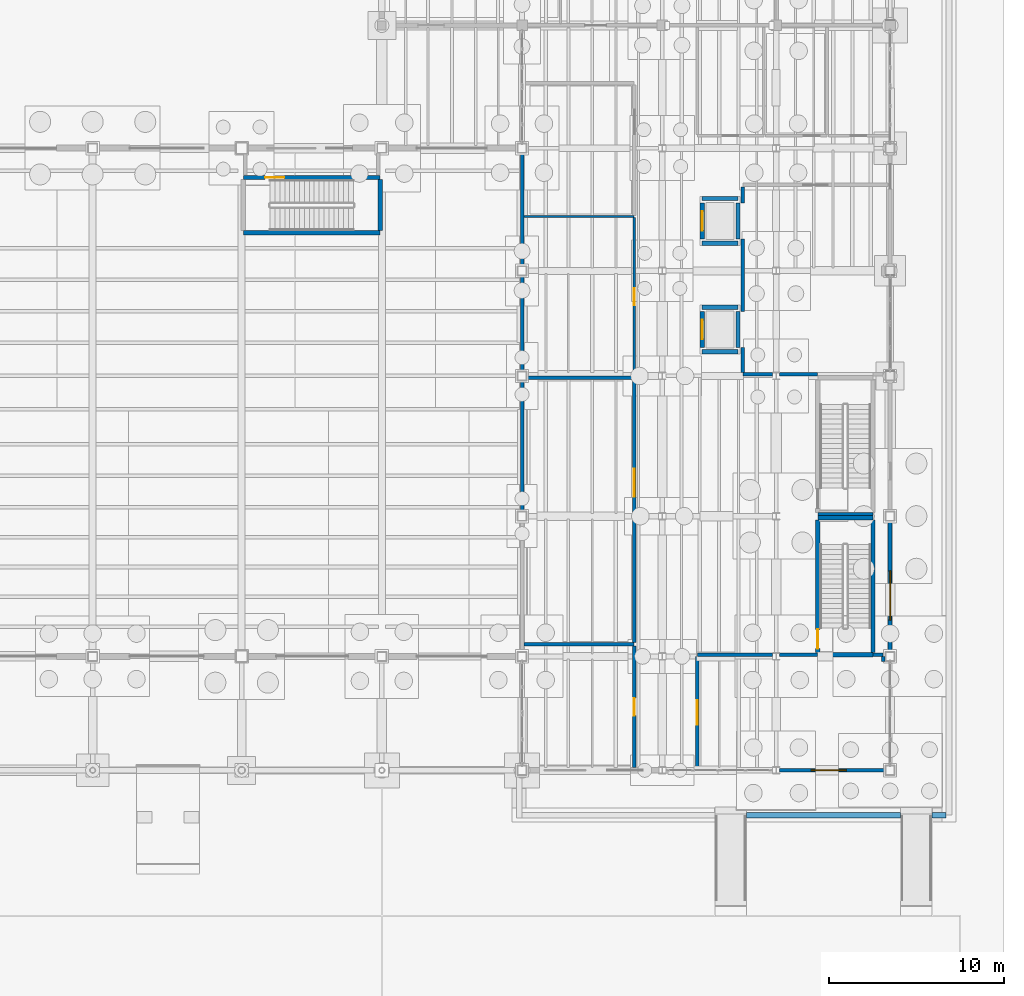
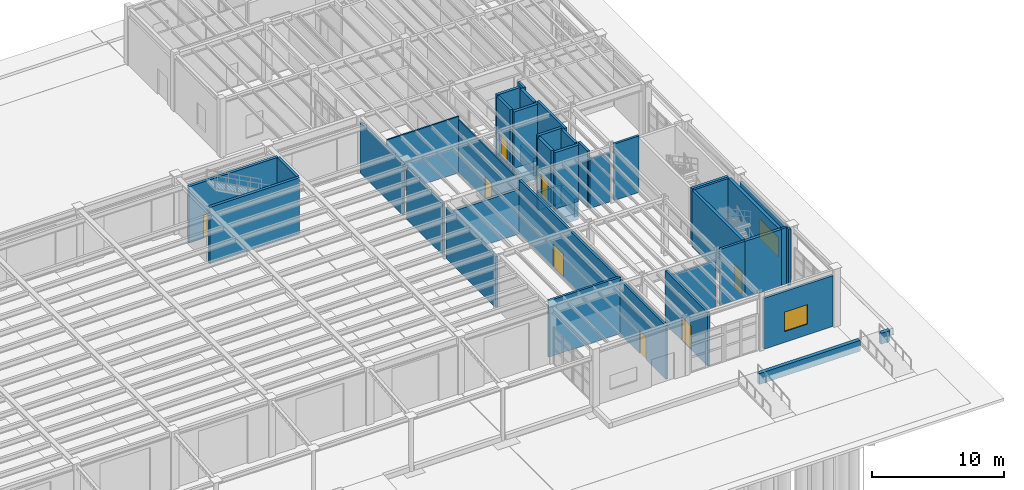
# One storey, part 68 of 86: 47 walls, 8 doors, 2 windows, 10 openings.
"""IFC4 building model written with IfcOpenShell, lengths in metres."""

from ifc_helpers import new_model, si_unit, direction, frame, frame_2d, origin, place, context, subcontext, project, spatial, rectangle, extrude, material, layer, layer_set, type_object, element, fill, save


model = new_model("IFC4")

# Units and contexts
model_context = context("Model", 3, precision=1e-05, world=origin(), true_north=direction((0.0, 1.0)))
body_context = subcontext(model_context, "Body", "Model", "MODEL_VIEW")
ifc_project = project(units=[si_unit("LENGTHUNIT", "METRE"), si_unit("AREAUNIT", "SQUARE_METRE"), si_unit("VOLUMEUNIT", "CUBIC_METRE"), si_unit("PLANEANGLEUNIT", "RADIAN"), si_unit("MASSUNIT", "GRAM", prefix="KILO"), si_unit("THERMODYNAMICTEMPERATUREUNIT", "KELVIN"), si_unit("POWERUNIT", "WATT")], contexts=[model_context])

# Site, building, storey
site_placement = place(None, origin())
site = spatial("IfcSite", under=ifc_project, at=site_placement, CompositionType="ELEMENT")
building_placement = place(site_placement, origin())
building = spatial("IfcBuilding", under=site, at=building_placement, Name="Zhenchuan Central Fire Station", CompositionType="ELEMENT")
storey_placement = place(building_placement, frame((0.0, 0.0, 0.449951171875)))
storey = spatial("IfcBuildingStorey", under=building, at=storey_placement, Name="L01", CompositionType="ELEMENT", Elevation=0.449951171875)

# Walls
ifc_material_1 = material(Name="Concrete C35/45", Category="concrete")
ifc_layer_1 = layer(ifc_material_1, 0.320068359375, Name="Concrete C35/45", Category="concrete")
ifc_layer_set_1 = layer_set([ifc_layer_1], Name="Concrete C35/45")
wall_type_1 = type_object("IfcWallType", Name="EW-PLN320", PredefinedType="SOLIDWALL", material=ifc_layer_set_1)
wall_1_placement = place(storey_placement, frame((152.803955078125, -2.56201171875, -1.0), z_axis=(0.0, 0.0, 1.0), x_axis=(1.0, 0.0, 0.0)))
element("IfcWall", 1, at=wall_1_placement, inside=storey, type_object=wall_type_1, Name="Plinth Perimeter Retaining Stem Wall SE-2", PredefinedType="SOLIDWALL", context=body_context, shape_type="SweptSolid", body=[
    extrude(rectangle(XDim=8.7919921875, YDim=0.320068359375, at=frame_2d((4.39599609375, 0.0))), origin(), (0.0, 0.0, 1.0), 1.0),
])
wall_2_placement = place(storey_placement, frame((163.404052734375, -2.56201171875, -1.0), z_axis=(0.0, 0.0, 1.0), x_axis=(1.0, 0.0, 0.0)))
element("IfcWall", 2, at=wall_2_placement, inside=storey, type_object=wall_type_1, Name="Plinth Perimeter Retaining Stem Wall SE-3", PredefinedType="SOLIDWALL", context=body_context, shape_type="SweptSolid", body=[
    extrude(rectangle(XDim=0.7958984375, YDim=0.320068359375, at=frame_2d((0.39794921875, 0.0))), origin(), (0.0, 0.0, 1.0), 1.0),
])

# Wall, opening, window
ifc_material_2 = material(Name="Precast concrete C40/50", Category="concrete")
ifc_layer_2 = layer(ifc_material_2, 0.219970703125, Name="Precast concrete C40/50", Category="concrete")
ifc_layer_set_2 = layer_set([ifc_layer_2], Name="Precast concrete C40/50")
wall_type_2 = type_object("IfcWallType", Name="EW-PRC220", PredefinedType="SOLIDWALL", material=ifc_layer_set_2)
wall_3_placement = place(storey_placement, frame((154.699951171875, 0.0, 0.0), z_axis=(0.0, 0.0, 1.0), x_axis=(1.0, 0.0, 0.0)))
wall_3 = element("IfcWall", 3, at=wall_3_placement, inside=storey, type_object=wall_type_2, Name="EW-L01-V2S-2", PredefinedType="SOLIDWALL", context=body_context, shape_type="SweptSolid", body=[
    extrude(rectangle(XDim=6.025146484375, YDim=0.219970703125, at=frame_2d((3.0126953125, 0.0))), origin(), (0.0, 0.0, 1.0), 4.694091796875),
])
opening_1_placement = place(wall_3_placement, frame((1.800048828125, 0.0, 1.0)))
opening_1 = element("IfcOpeningElement", 4, at=opening_1_placement, cuts=wall_3, Name="Opening W-26", PredefinedType="OPENING", context=body_context, shape_type="SweptSolid", body=[
    extrude(rectangle(XDim=2.0, YDim=1.800048828125, at=frame_2d((1.0, 0.89990234375))), frame((0.0, 0.119873046875, 0.0), z_axis=(0.0, -1.0, 0.0), x_axis=(1.0, 0.0, 0.0)), (0.0, 0.0, 1.0), 0.239990234375),
])
ifc_material_3 = material(Name="Laminated low-E double glazing in aluminium frame", Category="aluminium")
window_type_1 = type_object("IfcWindowType", Name="WN-26", PartitioningType="SINGLE_PANEL", PredefinedType="WINDOW", material=ifc_material_3)
window_1_placement = place(opening_1_placement, origin())
window_1 = element("IfcWindow", 5, at=window_1_placement, inside=storey, type_object=window_type_1, Name="Exterior Window 0085", OverallHeight=1.800048828125, OverallWidth=2.0, PartitioningType="SINGLE_PANEL", PredefinedType="WINDOW", context=body_context, shape_type="SweptSolid", body=[
    extrude(rectangle(XDim=2.0, YDim=1.800048828125, at=frame_2d((1.0, 0.89990234375))), frame((0.0, 0.030029296875, 0.0), z_axis=(0.0, -1.0, 0.0), x_axis=(1.0, 0.0, 0.0)), (0.0, 0.0, 1.0), 0.06005859375),
])
fill(opening_1, window_1)

wall_4_placement = place(storey_placement, frame((161.0, 6.77490234375, 0.0), z_axis=(0.0, 0.0, 1.0), x_axis=(0.0, 1.0, 0.0)))
wall_4 = element("IfcWall", 6, at=wall_4_placement, inside=storey, type_object=wall_type_2, Name="EW-L01-V2E-1", PredefinedType="SOLIDWALL", context=body_context, shape_type="SweptSolid", body=[
    extrude(rectangle(XDim=7.4501953125, YDim=0.219970703125, at=frame_2d((3.72509765625, 0.0))), origin(), (0.0, 0.0, 1.0), 4.60595703125),
])
opening_2_placement = place(wall_4_placement, frame((1.800048828125, 0.0, 1.050048828125)))
opening_2 = element("IfcOpeningElement", 7, at=opening_2_placement, cuts=wall_4, Name="Opening W-30", PredefinedType="OPENING", context=body_context, shape_type="SweptSolid", body=[
    extrude(rectangle(XDim=2.800048828125, YDim=1.800048828125, at=frame_2d((1.39990234375, 0.89990234375))), frame((0.0, 0.119873046875, 0.0), z_axis=(0.0, -1.0, 0.0), x_axis=(1.0, 0.0, 0.0)), (0.0, 0.0, 1.0), 0.239990234375),
])
window_type_2 = type_object("IfcWindowType", Name="WN-30", PartitioningType="SINGLE_PANEL", PredefinedType="WINDOW", material=ifc_material_3)
window_2_placement = place(opening_2_placement, origin())
window_2 = element("IfcWindow", 8, at=window_2_placement, inside=storey, type_object=window_type_2, Name="Exterior Window 0086", OverallHeight=1.800048828125, OverallWidth=2.800048828125, PartitioningType="SINGLE_PANEL", PredefinedType="WINDOW", context=body_context, shape_type="SweptSolid", body=[
    extrude(rectangle(XDim=2.800048828125, YDim=1.800048828125, at=frame_2d((1.39990234375, 0.89990234375))), frame((0.0, 0.030029296875, 0.0), z_axis=(0.0, -1.0, 0.0), x_axis=(1.0, 0.0, 0.0)), (0.0, 0.0, 1.0), 0.06005859375),
])
fill(opening_2, window_2)

# Walls
ifc_material_4 = material(Name="Autoclaved aerated concrete blockwork", Category="masonry")
ifc_layer_3 = layer(ifc_material_4, 0.199951171875, Name="Autoclaved aerated concrete blockwork", Category="masonry")
ifc_layer_set_3 = layer_set([ifc_layer_3], Name="Autoclaved aerated concrete blockwork")
wall_type_3 = type_object("IfcWallType", Name="IW-FIR200", PredefinedType="PARTITIONING", material=ifc_layer_set_3)
wall_5_placement = place(storey_placement, frame((140.0, 14.777099609375, 0.0), z_axis=(0.0, 0.0, 1.0), x_axis=(0.0, 1.0, 0.0)))
element("IfcWall", 9, at=wall_5_placement, inside=storey, type_object=wall_type_3, Name="L01 Hall-HQ Fire Compartment Wall Y=14.5..22.5", PredefinedType="PARTITIONING", context=body_context, shape_type="SweptSolid", body=[
    extrude(rectangle(XDim=7.44580078125, YDim=0.199951171875, at=frame_2d((3.722900390625, 0.0))), origin(), (0.0, 0.0, 1.0), 4.694091796875),
])
wall_6_placement = place(storey_placement, frame((140.0, 22.777099609375, 0.0), z_axis=(0.0, 0.0, 1.0), x_axis=(0.0, 1.0, 0.0)))
element("IfcWall", 10, at=wall_6_placement, inside=storey, type_object=wall_type_3, Name="L01 Hall-HQ Fire Compartment Wall Y=22.5..28.5", PredefinedType="PARTITIONING", context=body_context, shape_type="SweptSolid", body=[
    extrude(rectangle(XDim=5.44580078125, YDim=0.199951171875, at=frame_2d((2.722900390625, 0.0))), origin(), (0.0, 0.0, 1.0), 4.694091796875),
])
wall_7_placement = place(storey_placement, frame((140.0, 28.777099609375, 0.0), z_axis=(0.0, 0.0, 1.0), x_axis=(0.0, 1.0, 0.0)))
element("IfcWall", 11, at=wall_7_placement, inside=storey, type_object=wall_type_3, Name="L01 Hall-HQ Fire Compartment Wall Y=28.5..35.5", PredefinedType="PARTITIONING", context=body_context, shape_type="SweptSolid", body=[
    extrude(rectangle(XDim=6.44580078125, YDim=0.199951171875, at=frame_2d((3.222900390625, 0.0))), origin(), (0.0, 0.0, 1.0), 4.694091796875),
])
wall_8_placement = place(storey_placement, frame((140.10302734375, 7.199951171875, 0.0), z_axis=(0.0, 0.0, 1.0), x_axis=(1.0, 0.0, 0.0)))
element("IfcWall", 12, at=wall_8_placement, inside=storey, type_object=wall_type_3, Name="Fire Control Room N Partition", PredefinedType="PARTITIONING", context=body_context, shape_type="SweptSolid", body=[
    extrude(rectangle(XDim=6.296875, YDim=0.199951171875, at=frame_2d((3.1484375, 0.0))), origin(), (0.0, 0.0, 1.0), 5.199951171875),
])

# Wall, opening, door
wall_9_placement = place(storey_placement, frame((146.39990234375, 0.153076171875, 0.0), z_axis=(0.0, 0.0, 1.0), x_axis=(0.0, 1.0, 0.0)))
wall_9 = element("IfcWall", 13, at=wall_9_placement, inside=storey, type_object=wall_type_3, Name="Fire Control Room E Partition", PredefinedType="PARTITIONING", context=body_context, shape_type="SweptSolid", body=[
    extrude(rectangle(XDim=6.94384765625, YDim=0.199951171875, at=frame_2d((3.471923828125, 0.0))), origin(), (0.0, 0.0, 1.0), 4.949951171875),
])
opening_3_placement = place(wall_9_placement, frame((2.971923828125, 0.0, 0.0)))
opening_3 = element("IfcOpeningElement", 14, at=opening_3_placement, cuts=wall_9, Name="Opening D-087", PredefinedType="OPENING", context=body_context, shape_type="SweptSolid", body=[
    extrude(rectangle(XDim=1.0, YDim=2.10009765625, at=frame_2d((0.5, 1.050048828125))), frame((0.0, 0.10986328125, 0.0), z_axis=(0.0, -1.0, 0.0), x_axis=(1.0, 0.0, 0.0)), (0.0, 0.0, 1.0), 0.219970703125),
])
ifc_material_5 = material(Name="Solid-core timber office door", Category="wood")
door_type_1 = type_object("IfcDoorType", Name="ID-OFF-100x210", OperationType="NOTDEFINED", PredefinedType="DOOR", material=ifc_material_5)
door_1_placement = place(opening_3_placement, origin())
door_1 = element("IfcDoor", 15, at=door_1_placement, inside=storey, type_object=door_type_1, Name="Fire Control Room Door", OperationType="SINGLE_SWING_LEFT", OverallHeight=2.10009765625, OverallWidth=1.0, PredefinedType="DOOR", context=body_context, shape_type="SweptSolid", body=[
    extrude(rectangle(XDim=1.0, YDim=2.10009765625, at=frame_2d((0.5, 1.050048828125))), frame((0.0, 0.02490234375, 0.0), z_axis=(0.0, -1.0, 0.0), x_axis=(1.0, 0.0, 0.0)), (0.0, 0.0, 1.0), 0.050048828125),
])
fill(opening_3, door_1)

# Wall
wall_10_placement = place(storey_placement, frame((140.300048828125, 22.39990234375, 0.0), z_axis=(0.0, 0.0, 1.0), x_axis=(1.0, 0.0, 0.0)))
element("IfcWall", 16, at=wall_10_placement, inside=storey, type_object=wall_type_3, Name="Emergency Dispatch Hall N Partition", PredefinedType="PARTITIONING", context=body_context, shape_type="SweptSolid", body=[
    extrude(rectangle(XDim=6.099853515625, YDim=0.199951171875, at=frame_2d((3.0498046875, 0.0))), origin(), (0.0, 0.0, 1.0), 4.093994140625),
])

# Wall, opening, door
wall_11_placement = place(storey_placement, frame((146.39990234375, 7.302978515625, 0.0), z_axis=(0.0, 0.0, 1.0), x_axis=(0.0, 1.0, 0.0)))
wall_11 = element("IfcWall", 17, at=wall_11_placement, inside=storey, type_object=wall_type_3, Name="Emergency Dispatch Hall E Partition", PredefinedType="PARTITIONING", context=body_context, shape_type="SweptSolid", body=[
    extrude(rectangle(XDim=14.994140625, YDim=0.199951171875, at=frame_2d((7.4970703125, 0.0))), origin(), (0.0, 0.0, 1.0), 4.949951171875),
])
opening_4_placement = place(wall_11_placement, frame((8.297119140625, 0.0, 0.0)))
opening_4 = element("IfcOpeningElement", 18, at=opening_4_placement, cuts=wall_11, Name="Opening D-088", PredefinedType="OPENING", context=body_context, shape_type="SweptSolid", body=[
    extrude(rectangle(XDim=1.60009765625, YDim=2.199951171875, at=frame_2d((0.800048828125, 1.10009765625))), frame((0.0, 0.10986328125, 0.0), z_axis=(0.0, -1.0, 0.0), x_axis=(1.0, 0.0, 0.0)), (0.0, 0.0, 1.0), 0.219970703125),
])
ifc_material_6 = material(Name="Glazed timber double corridor fire door", Category="wood")
door_type_2 = type_object("IfcDoorType", Name="ID-COR-160x220", OperationType="NOTDEFINED", PredefinedType="DOOR", material=ifc_material_6)
door_2_placement = place(opening_4_placement, origin())
door_2 = element("IfcDoor", 19, at=door_2_placement, inside=storey, type_object=door_type_2, Name="Emergency Dispatch Hall Door", OperationType="SINGLE_SWING_RIGHT", OverallHeight=2.199951171875, OverallWidth=1.60009765625, PredefinedType="DOOR", context=body_context, shape_type="SweptSolid", body=[
    extrude(rectangle(XDim=1.60009765625, YDim=2.199951171875, at=frame_2d((0.800048828125, 1.10009765625))), frame((0.0, 0.02490234375, 0.0), z_axis=(0.0, -1.0, 0.0), x_axis=(1.0, 0.0, 0.0)), (0.0, 0.0, 1.0), 0.050048828125),
])
fill(opening_4, door_2)

# Walls
wall_12_placement = place(storey_placement, frame((150.0, 6.60009765625, 0.0), z_axis=(0.0, 0.0, 1.0), x_axis=(1.0, 0.0, 0.0)))
element("IfcWall", 20, at=wall_12_placement, inside=storey, type_object=wall_type_3, Name="Electrical Substation Room N Partition 1", PredefinedType="PARTITIONING", context=body_context, shape_type="SweptSolid", body=[
    extrude(rectangle(XDim=4.297119140625, YDim=0.199951171875, at=frame_2d((2.1484375, 0.0))), origin(), (0.0, 0.0, 1.0), 4.2939453125),
])
wall_13_placement = place(storey_placement, frame((154.702880859375, 6.60009765625, 0.0), z_axis=(0.0, 0.0, 1.0), x_axis=(1.0, 0.0, 0.0)))
element("IfcWall", 21, at=wall_13_placement, inside=storey, type_object=wall_type_3, Name="Electrical Substation Room N Partition 2", PredefinedType="PARTITIONING", context=body_context, shape_type="SweptSolid", body=[
    extrude(rectangle(XDim=2.169189453125, YDim=0.199951171875, at=frame_2d((1.08447265625, 0.0))), origin(), (0.0, 0.0, 1.0), 5.199951171875),
])
wall_14_placement = place(storey_placement, frame((160.028076171875, 6.60009765625, 0.0), z_axis=(0.0, 0.0, 1.0), x_axis=(1.0, 0.0, 0.0)))
element("IfcWall", 22, at=wall_14_placement, inside=storey, type_object=wall_type_3, Name="Electrical Substation Room N Partition 3", PredefinedType="PARTITIONING", context=body_context, shape_type="SweptSolid", body=[
    extrude(rectangle(XDim=0.572021484375, YDim=0.199951171875, at=frame_2d((0.2861328125, 0.0))), origin(), (0.0, 0.0, 1.0), 5.199951171875),
])

# Wall, opening, door
wall_15_placement = place(storey_placement, frame((150.0, 0.0830078125, 0.0), z_axis=(0.0, 0.0, 1.0), x_axis=(0.0, 1.0, 0.0)))
wall_15 = element("IfcWall", 23, at=wall_15_placement, inside=storey, type_object=wall_type_3, Name="Electrical Substation Room W Partition", PredefinedType="PARTITIONING", context=body_context, shape_type="SweptSolid", body=[
    extrude(rectangle(XDim=6.4140625, YDim=0.199951171875, at=frame_2d((3.20703125, 0.0))), origin(), (0.0, 0.0, 1.0), 4.944091796875),
])
opening_5_placement = place(wall_15_placement, frame((2.507080078125, 0.0, 0.0)))
opening_5 = element("IfcOpeningElement", 24, at=opening_5_placement, cuts=wall_15, Name="Opening D-091", PredefinedType="OPENING", context=body_context, shape_type="SweptSolid", body=[
    extrude(rectangle(XDim=1.39990234375, YDim=2.199951171875, at=frame_2d((0.699951171875, 1.10009765625))), frame((0.0, 0.10986328125, 0.0), z_axis=(0.0, -1.0, 0.0), x_axis=(1.0, 0.0, 0.0)), (0.0, 0.0, 1.0), 0.219970703125),
])
ifc_material_7 = material(Name="Galvanised steel plant room fire door", Category="steel")
door_type_3 = type_object("IfcDoorType", Name="ID-PLT-140x220", OperationType="NOTDEFINED", PredefinedType="DOOR", material=ifc_material_7)
door_3_placement = place(opening_5_placement, origin())
door_3 = element("IfcDoor", 25, at=door_3_placement, inside=storey, type_object=door_type_3, Name="Electrical Substation Room Door", OperationType="SINGLE_SWING_LEFT", OverallHeight=2.199951171875, OverallWidth=1.39990234375, PredefinedType="DOOR", context=body_context, shape_type="SweptSolid", body=[
    extrude(rectangle(XDim=1.39990234375, YDim=2.199951171875, at=frame_2d((0.699951171875, 1.10009765625))), frame((0.0, 0.02490234375, 0.0), z_axis=(0.0, -1.0, 0.0), x_axis=(1.0, 0.0, 0.0)), (0.0, 0.0, 1.0), 0.050048828125),
])
fill(opening_5, door_3)

# Walls
wall_16_placement = place(storey_placement, frame((160.60009765625, 6.202880859375, 0.0), z_axis=(0.0, 0.0, 1.0), x_axis=(0.0, 1.0, 0.0)))
element("IfcWall", 26, at=wall_16_placement, inside=storey, type_object=wall_type_3, Name="Electrical Substation Room E Partition", PredefinedType="PARTITIONING", context=body_context, shape_type="SweptSolid", body=[
    extrude(rectangle(XDim=0.294189453125, YDim=0.199951171875, at=frame_2d((0.14697265625, 0.0))), origin(), (0.0, 0.0, 1.0), 5.199951171875),
])
wall_17_placement = place(storey_placement, frame((152.60009765625, 22.60009765625, 0.0), z_axis=(0.0, 0.0, 1.0), x_axis=(1.0, 0.0, 0.0)))
element("IfcWall", 27, at=wall_17_placement, inside=storey, type_object=wall_type_3, Name="Telecommunications Server Room S Partition 1", PredefinedType="PARTITIONING", context=body_context, shape_type="SweptSolid", body=[
    extrude(rectangle(XDim=1.697021484375, YDim=0.199951171875, at=frame_2d((0.8486328125, 0.0))), origin(), (0.0, 0.0, 1.0), 4.5439453125),
])
wall_18_placement = place(storey_placement, frame((154.702880859375, 22.60009765625, 0.0), z_axis=(0.0, 0.0, 1.0), x_axis=(1.0, 0.0, 0.0)))
element("IfcWall", 28, at=wall_18_placement, inside=storey, type_object=wall_type_3, Name="Telecommunications Server Room S Partition 2", PredefinedType="PARTITIONING", context=body_context, shape_type="SweptSolid", body=[
    extrude(rectangle(XDim=2.169189453125, YDim=0.199951171875, at=frame_2d((1.08447265625, 0.0))), origin(), (0.0, 0.0, 1.0), 5.199951171875),
])
wall_19_placement = place(storey_placement, frame((152.60009765625, 22.702880859375, 0.0), z_axis=(0.0, 0.0, 1.0), x_axis=(0.0, 1.0, 0.0)))
element("IfcWall", 29, at=wall_19_placement, inside=storey, type_object=wall_type_3, Name="Telecommunications Server Room W Partition 1", PredefinedType="PARTITIONING", context=body_context, shape_type="SweptSolid", body=[
    extrude(rectangle(XDim=1.419189453125, YDim=0.199951171875, at=frame_2d((0.70947265625, 0.0))), origin(), (0.0, 0.0, 1.0), 5.199951171875),
])
wall_20_placement = place(storey_placement, frame((152.60009765625, 26.177978515625, 0.0), z_axis=(0.0, 0.0, 1.0), x_axis=(0.0, 1.0, 0.0)))
element("IfcWall", 30, at=wall_20_placement, inside=storey, type_object=wall_type_3, Name="Telecommunications Server Room W Partition 2", PredefinedType="PARTITIONING", context=body_context, shape_type="SweptSolid", body=[
    extrude(rectangle(XDim=4.14404296875, YDim=0.199951171875, at=frame_2d((2.072021484375, 0.0))), origin(), (0.0, 0.0, 1.0), 5.199951171875),
])
wall_21_placement = place(storey_placement, frame((152.60009765625, 32.3779296875, 0.0), z_axis=(0.0, 0.0, 1.0), x_axis=(0.0, 1.0, 0.0)))
element("IfcWall", 31, at=wall_21_placement, inside=storey, type_object=wall_type_3, Name="Telecommunications Server Room W Partition 3", PredefinedType="PARTITIONING", context=body_context, shape_type="SweptSolid", body=[
    extrude(rectangle(XDim=0.919189453125, YDim=0.199951171875, at=frame_2d((0.45947265625, 0.0))), origin(), (0.0, 0.0, 1.0), 5.199951171875),
])
ifc_material_8 = material(Name="Gypsum plasterboard on steel studs", Category="gypsum")
ifc_layer_4 = layer(ifc_material_8, 0.1201171875, Name="Gypsum plasterboard on steel studs", Category="gypsum")
ifc_layer_set_4 = layer_set([ifc_layer_4], Name="Gypsum plasterboard on steel studs")
wall_type_4 = type_object("IfcWallType", Name="IW-GYP120", PredefinedType="PARTITIONING", material=ifc_layer_set_4)
wall_22_placement = place(storey_placement, frame((140.10302734375, 31.60009765625, 0.0), z_axis=(0.0, 0.0, 1.0), x_axis=(1.0, 0.0, 0.0)))
element("IfcWall", 32, at=wall_22_placement, inside=storey, type_object=wall_type_4, Name="Public Reception and Duty Desk N Partition", PredefinedType="PARTITIONING", context=body_context, shape_type="SweptSolid", body=[
    extrude(rectangle(XDim=6.296875, YDim=0.1201171875, at=frame_2d((3.1484375, 0.0))), origin(), (0.0, 0.0, 1.0), 5.199951171875),
])

# Wall, opening, door
wall_23_placement = place(storey_placement, frame((146.39990234375, 22.5029296875, 0.0), z_axis=(0.0, 0.0, 1.0), x_axis=(0.0, 1.0, 0.0)))
wall_23 = element("IfcWall", 33, at=wall_23_placement, inside=storey, type_object=wall_type_4, Name="Public Reception and Duty Desk E Partition", PredefinedType="PARTITIONING", context=body_context, shape_type="SweptSolid", body=[
    extrude(rectangle(XDim=9.0341796875, YDim=0.1201171875, at=frame_2d((4.51708984375, 0.0))), origin(), (0.0, 0.0, 1.0), 4.89404296875),
])
opening_6_placement = place(wall_23_placement, frame((4.027099609375, 0.0, 0.0)))
opening_6 = element("IfcOpeningElement", 34, at=opening_6_placement, cuts=wall_23, Name="Opening D-089", PredefinedType="OPENING", context=body_context, shape_type="SweptSolid", body=[
    extrude(rectangle(XDim=0.97998046875, YDim=2.10009765625, at=frame_2d((0.489990234375, 1.050048828125))), frame((0.0, 0.070068359375, 0.0), z_axis=(0.0, -1.0, 0.0), x_axis=(1.0, 0.0, 0.0)), (0.0, 0.0, 1.0), 0.14013671875),
])
ifc_material_9 = material(Name="Solid-core timber study door", Category="wood")
door_type_4 = type_object("IfcDoorType", Name="ID-OFF-098x210", OperationType="NOTDEFINED", PredefinedType="DOOR", material=ifc_material_9)
door_4_placement = place(opening_6_placement, origin())
door_4 = element("IfcDoor", 35, at=door_4_placement, inside=storey, type_object=door_type_4, Name="Public Reception and Duty Desk Door", OperationType="SINGLE_SWING_LEFT", OverallHeight=2.10009765625, OverallWidth=0.97998046875, PredefinedType="DOOR", context=body_context, shape_type="SweptSolid", body=[
    extrude(rectangle(XDim=0.97998046875, YDim=2.10009765625, at=frame_2d((0.489990234375, 1.050048828125))), frame((0.0, 0.02490234375, 0.0), z_axis=(0.0, -1.0, 0.0), x_axis=(1.0, 0.0, 0.0)), (0.0, 0.0, 1.0), 0.050048828125),
])
fill(opening_6, door_4)

# Wall
ifc_material_10 = material(Name="Concrete C40/50", Category="concrete")
ifc_layer_5 = layer(ifc_material_10, 0.25, Name="Concrete C40/50", Category="concrete")
ifc_layer_set_5 = layer_set([ifc_layer_5], Name="Concrete C40/50")
wall_type_5 = type_object("IfcWallType", Name="IW-SHR250", PredefinedType="SHEAR", material=ifc_layer_set_5)
wall_24_placement = place(storey_placement, frame((124.094970703125, 30.675048828125, 0.0), z_axis=(0.0, 0.0, 1.0), x_axis=(1.0, 0.0, 0.0)))
element("IfcWall", 36, at=wall_24_placement, inside=storey, type_object=wall_type_5, Name="ST-09 L01 South Core Wall", PredefinedType="SHEAR", context=body_context, shape_type="SweptSolid", body=[
    extrude(rectangle(XDim=7.81005859375, YDim=0.25, at=frame_2d((3.905029296875, 0.0))), origin(), (0.0, 0.0, 1.0), 5.199951171875),
])

# Wall, opening, door
wall_25_placement = place(storey_placement, frame((124.094970703125, 33.824951171875, 0.0), z_axis=(0.0, 0.0, 1.0), x_axis=(1.0, 0.0, 0.0)))
wall_25 = element("IfcWall", 37, at=wall_25_placement, inside=storey, type_object=wall_type_5, Name="ST-09 L01 North Core Wall", PredefinedType="SHEAR", context=body_context, shape_type="SweptSolid", body=[
    extrude(rectangle(XDim=7.81005859375, YDim=0.25, at=frame_2d((3.905029296875, 0.0))), origin(), (0.0, 0.0, 1.0), 5.199951171875),
])
opening_7_placement = place(wall_25_placement, frame((1.25, 0.0, 0.0)))
opening_7 = element("IfcOpeningElement", 38, at=opening_7_placement, cuts=wall_25, Name="Opening D-020", PredefinedType="OPENING", context=body_context, shape_type="SweptSolid", body=[
    extrude(rectangle(XDim=1.10009765625, YDim=2.14990234375, at=frame_2d((0.550048828125, 1.074951171875))), frame((0.0, 0.135009765625, 0.0), z_axis=(0.0, -1.0, 0.0), x_axis=(1.0, 0.0, 0.0)), (0.0, 0.0, 1.0), 0.27001953125),
])
ifc_material_11 = material(Name="Painted steel acoustic fire door", Category="steel")
door_type_5 = type_object("IfcDoorType", Name="ID-ST-110x215", OperationType="NOTDEFINED", PredefinedType="DOOR", material=ifc_material_11)
door_5_placement = place(opening_7_placement, origin())
door_5 = element("IfcDoor", 39, at=door_5_placement, inside=storey, type_object=door_type_5, Name="ST-09 L01 Fire Door", OperationType="SINGLE_SWING_RIGHT", OverallHeight=2.14990234375, OverallWidth=1.10009765625, PredefinedType="DOOR", context=body_context, shape_type="SweptSolid", body=[
    extrude(rectangle(XDim=1.10009765625, YDim=2.14990234375, at=frame_2d((0.550048828125, 1.074951171875))), frame((0.0, 0.02490234375, 0.0), z_axis=(0.0, -1.0, 0.0), x_axis=(1.0, 0.0, 0.0)), (0.0, 0.0, 1.0), 0.050048828125),
])
fill(opening_7, door_5)

# Walls
wall_26_placement = place(storey_placement, frame((131.905029296875, 30.800048828125, 0.0), z_axis=(0.0, 0.0, 1.0), x_axis=(0.0, 1.0, 0.0)))
element("IfcWall", 40, at=wall_26_placement, inside=storey, type_object=wall_type_5, Name="ST-09 L01 East Core Wall", PredefinedType="SHEAR", context=body_context, shape_type="SweptSolid", body=[
    extrude(rectangle(XDim=2.89990234375, YDim=0.25, at=frame_2d((1.449951171875, 0.0))), origin(), (0.0, 0.0, 1.0), 5.199951171875),
])
for number, where, z_axis, x_axis, name in (
    (41, (156.875, 6.594970703125, 0.0), (0.0, 0.0, 1.0), (1.0, 0.0, 0.0), "ST-10 L01 South Core Wall"),
    (42, (156.875, 14.405029296875, 0.0), (0.0, 0.0, 1.0), (1.0, 0.0, 0.0), "ST-10 L01 North Core Wall"),
):
    element("IfcWall", number, at=place(storey_placement, frame(where, z_axis=z_axis, x_axis=x_axis)), inside=storey, type_object=wall_type_5, Name=name, PredefinedType="SHEAR", context=body_context, shape_type="SweptSolid", body=[
        extrude(rectangle(XDim=3.14990234375, YDim=0.25, at=frame_2d((1.574951171875, 0.0))), origin(), (0.0, 0.0, 1.0), 5.199951171875),
    ])

# Wall, opening, door
wall_27_placement = place(storey_placement, frame((156.875, 6.719970703125, 0.0), z_axis=(0.0, 0.0, 1.0), x_axis=(0.0, 1.0, 0.0)))
wall_27 = element("IfcWall", 43, at=wall_27_placement, inside=storey, type_object=wall_type_5, Name="ST-10 L01 West Core Wall", PredefinedType="SHEAR", context=body_context, shape_type="SweptSolid", body=[
    extrude(rectangle(XDim=7.56005859375, YDim=0.25, at=frame_2d((3.780029296875, 0.0))), origin(), (0.0, 0.0, 1.0), 5.199951171875),
])
opening_8_placement = place(wall_27_placement, frame((0.219970703125, 0.0, 0.0)))
opening_8 = element("IfcOpeningElement", 44, at=opening_8_placement, cuts=wall_27, Name="Opening D-022", PredefinedType="OPENING", context=body_context, shape_type="SweptSolid", body=[
    extrude(rectangle(XDim=1.10009765625, YDim=2.14990234375, at=frame_2d((0.550048828125, 1.074951171875))), frame((0.0, 0.135009765625, 0.0), z_axis=(0.0, -1.0, 0.0), x_axis=(1.0, 0.0, 0.0)), (0.0, 0.0, 1.0), 0.27001953125),
])
door_6_placement = place(opening_8_placement, origin())
door_6 = element("IfcDoor", 45, at=door_6_placement, inside=storey, type_object=door_type_5, Name="ST-10 L01 Fire Door", OperationType="SINGLE_SWING_RIGHT", OverallHeight=2.14990234375, OverallWidth=1.10009765625, PredefinedType="DOOR", context=body_context, shape_type="SweptSolid", body=[
    extrude(rectangle(XDim=1.10009765625, YDim=2.14990234375, at=frame_2d((0.550048828125, 1.074951171875))), frame((0.0, 0.02490234375, 0.0), z_axis=(0.0, -1.0, 0.0), x_axis=(1.0, 0.0, 0.0)), (0.0, 0.0, 1.0), 0.050048828125),
])
fill(opening_8, door_6)

# Walls
wall_28_placement = place(storey_placement, frame((160.02490234375, 6.719970703125, 0.0), z_axis=(0.0, 0.0, 1.0), x_axis=(0.0, 1.0, 0.0)))
element("IfcWall", 46, at=wall_28_placement, inside=storey, type_object=wall_type_5, Name="ST-10 L01 East Core Wall", PredefinedType="SHEAR", context=body_context, shape_type="SweptSolid", body=[
    extrude(rectangle(XDim=7.56005859375, YDim=0.25, at=frame_2d((3.780029296875, 0.0))), origin(), (0.0, 0.0, 1.0), 5.199951171875),
])
wall_29_placement = place(storey_placement, frame((156.875, 14.594970703125, 0.0), z_axis=(0.0, 0.0, 1.0), x_axis=(1.0, 0.0, 0.0)))
element("IfcWall", 47, at=wall_29_placement, inside=storey, type_object=wall_type_5, Name="ST-11 L01 South Core Wall", PredefinedType="SHEAR", context=body_context, shape_type="SweptSolid", body=[
    extrude(rectangle(XDim=3.14990234375, YDim=0.25, at=frame_2d((1.574951171875, 0.0))), origin(), (0.0, 0.0, 1.0), 5.199951171875),
])
for number, where, z_axis, x_axis, name in (
    (48, (150.27490234375, 23.875, -1.64990234375), (0.0, 0.0, 1.0), (1.0, 0.0, 0.0), "Lift LP-01 Pit South Wall"),
    (49, (150.27490234375, 26.425048828125, -1.64990234375), (0.0, 0.0, 1.0), (1.0, 0.0, 0.0), "Lift LP-01 Pit North Wall"),
    (50, (150.27490234375, 24.125, -1.64990234375), (0.0, 0.0, 1.0), (0.0, 1.0, 0.0), "Lift LP-01 Pit West Wall"),
    (51, (152.324951171875, 24.125, -1.64990234375), (0.0, 0.0, 1.0), (0.0, 1.0, 0.0), "Lift LP-01 Pit East Wall"),
):
    element("IfcWall", number, at=place(storey_placement, frame(where, z_axis=z_axis, x_axis=x_axis)), inside=storey, type_object=wall_type_5, Name=name, PredefinedType="SHEAR", context=body_context, shape_type="SweptSolid", body=[
        extrude(rectangle(XDim=2.050048828125, YDim=0.25, at=frame_2d((1.02490234375, 0.0))), origin(), (0.0, 0.0, 1.0), 1.64990234375),
    ])
for number, where, z_axis, x_axis, name in (
    (52, (150.27490234375, 23.875, 0.0), (0.0, 0.0, 1.0), (1.0, 0.0, 0.0), "Lift LP-01 L01 South Shaft Wall"),
    (53, (150.27490234375, 26.425048828125, 0.0), (0.0, 0.0, 1.0), (1.0, 0.0, 0.0), "Lift LP-01 L01 North Shaft Wall"),
):
    element("IfcWall", number, at=place(storey_placement, frame(where, z_axis=z_axis, x_axis=x_axis)), inside=storey, type_object=wall_type_5, Name=name, PredefinedType="SHEAR", context=body_context, shape_type="SweptSolid", body=[
        extrude(rectangle(XDim=2.050048828125, YDim=0.25, at=frame_2d((1.02490234375, 0.0))), origin(), (0.0, 0.0, 1.0), 5.199951171875),
    ])

# Wall, opening, door
wall_30_placement = place(storey_placement, frame((150.27490234375, 24.125, 0.0), z_axis=(0.0, 0.0, 1.0), x_axis=(0.0, 1.0, 0.0)))
wall_30 = element("IfcWall", 54, at=wall_30_placement, inside=storey, type_object=wall_type_5, Name="Lift LP-01 L01 West Shaft Wall", PredefinedType="SHEAR", context=body_context, shape_type="SweptSolid", body=[
    extrude(rectangle(XDim=2.050048828125, YDim=0.25, at=frame_2d((1.02490234375, 0.0))), origin(), (0.0, 0.0, 1.0), 5.199951171875),
])
opening_9_placement = place(wall_30_placement, frame((0.47509765625, 0.0, 0.0)))
opening_9 = element("IfcOpeningElement", 55, at=opening_9_placement, cuts=wall_30, Name="Opening LD-007", PredefinedType="OPENING", context=body_context, shape_type="SweptSolid", body=[
    extrude(rectangle(XDim=1.10009765625, YDim=2.14990234375, at=frame_2d((0.550048828125, 1.074951171875))), frame((0.0, 0.135009765625, 0.0), z_axis=(0.0, -1.0, 0.0), x_axis=(1.0, 0.0, 0.0)), (0.0, 0.0, 1.0), 0.27001953125),
])
ifc_material_12 = material(Name="Brushed stainless steel sliding landing door", Category="steel")
door_type_6 = type_object("IfcDoorType", Name="ID-LD-110x215", OperationType="NOTDEFINED", PredefinedType="DOOR", material=ifc_material_12)
door_7_placement = place(opening_9_placement, origin())
door_7 = element("IfcDoor", 56, at=door_7_placement, inside=storey, type_object=door_type_6, Name="Lift LP-01 L01 Sliding Landing Door", OperationType="DOUBLE_DOOR_SLIDING", OverallHeight=2.14990234375, OverallWidth=1.10009765625, PredefinedType="DOOR", context=body_context, shape_type="SweptSolid", body=[
    extrude(rectangle(XDim=1.10009765625, YDim=2.14990234375, at=frame_2d((0.550048828125, 1.074951171875))), frame((0.0, 0.02490234375, 0.0), z_axis=(0.0, -1.0, 0.0), x_axis=(1.0, 0.0, 0.0)), (0.0, 0.0, 1.0), 0.050048828125),
])
fill(opening_9, door_7)

# Walls
wall_31_placement = place(storey_placement, frame((152.324951171875, 24.125, 0.0), z_axis=(0.0, 0.0, 1.0), x_axis=(0.0, 1.0, 0.0)))
element("IfcWall", 57, at=wall_31_placement, inside=storey, type_object=wall_type_5, Name="Lift LP-01 L01 East Shaft Wall", PredefinedType="SHEAR", context=body_context, shape_type="SweptSolid", body=[
    extrude(rectangle(XDim=2.050048828125, YDim=0.25, at=frame_2d((1.02490234375, 0.0))), origin(), (0.0, 0.0, 1.0), 5.199951171875),
])
for number, where, z_axis, x_axis, name in (
    (58, (150.27490234375, 30.074951171875, -1.64990234375), (0.0, 0.0, 1.0), (1.0, 0.0, 0.0), "Lift LP-02 Pit South Wall"),
    (59, (150.27490234375, 32.625, -1.64990234375), (0.0, 0.0, 1.0), (1.0, 0.0, 0.0), "Lift LP-02 Pit North Wall"),
    (60, (150.27490234375, 30.324951171875, -1.64990234375), (0.0, 0.0, 1.0), (0.0, 1.0, 0.0), "Lift LP-02 Pit West Wall"),
    (61, (152.324951171875, 30.324951171875, -1.64990234375), (0.0, 0.0, 1.0), (0.0, 1.0, 0.0), "Lift LP-02 Pit East Wall"),
):
    element("IfcWall", number, at=place(storey_placement, frame(where, z_axis=z_axis, x_axis=x_axis)), inside=storey, type_object=wall_type_5, Name=name, PredefinedType="SHEAR", context=body_context, shape_type="SweptSolid", body=[
        extrude(rectangle(XDim=2.050048828125, YDim=0.25, at=frame_2d((1.02490234375, 0.0))), origin(), (0.0, 0.0, 1.0), 1.64990234375),
    ])
for number, where, z_axis, x_axis, name in (
    (62, (150.27490234375, 30.074951171875, 0.0), (0.0, 0.0, 1.0), (1.0, 0.0, 0.0), "Lift LP-02 L01 South Shaft Wall"),
    (63, (150.27490234375, 32.625, 0.0), (0.0, 0.0, 1.0), (1.0, 0.0, 0.0), "Lift LP-02 L01 North Shaft Wall"),
):
    element("IfcWall", number, at=place(storey_placement, frame(where, z_axis=z_axis, x_axis=x_axis)), inside=storey, type_object=wall_type_5, Name=name, PredefinedType="SHEAR", context=body_context, shape_type="SweptSolid", body=[
        extrude(rectangle(XDim=2.050048828125, YDim=0.25, at=frame_2d((1.02490234375, 0.0))), origin(), (0.0, 0.0, 1.0), 5.199951171875),
    ])

# Wall, opening, door
wall_32_placement = place(storey_placement, frame((150.27490234375, 30.324951171875, 0.0), z_axis=(0.0, 0.0, 1.0), x_axis=(0.0, 1.0, 0.0)))
wall_32 = element("IfcWall", 64, at=wall_32_placement, inside=storey, type_object=wall_type_5, Name="Lift LP-02 L01 West Shaft Wall", PredefinedType="SHEAR", context=body_context, shape_type="SweptSolid", body=[
    extrude(rectangle(XDim=2.050048828125, YDim=0.25, at=frame_2d((1.02490234375, 0.0))), origin(), (0.0, 0.0, 1.0), 5.199951171875),
])
opening_10_placement = place(wall_32_placement, frame((0.47509765625, 0.0, 0.0)))
opening_10 = element("IfcOpeningElement", 65, at=opening_10_placement, cuts=wall_32, Name="Opening LD-011", PredefinedType="OPENING", context=body_context, shape_type="SweptSolid", body=[
    extrude(rectangle(XDim=1.10009765625, YDim=2.14990234375, at=frame_2d((0.550048828125, 1.074951171875))), frame((0.0, 0.135009765625, 0.0), z_axis=(0.0, -1.0, 0.0), x_axis=(1.0, 0.0, 0.0)), (0.0, 0.0, 1.0), 0.27001953125),
])
door_8_placement = place(opening_10_placement, origin())
door_8 = element("IfcDoor", 66, at=door_8_placement, inside=storey, type_object=door_type_6, Name="Lift LP-02 L01 Sliding Landing Door", OperationType="DOUBLE_DOOR_SLIDING", OverallHeight=2.14990234375, OverallWidth=1.10009765625, PredefinedType="DOOR", context=body_context, shape_type="SweptSolid", body=[
    extrude(rectangle(XDim=1.10009765625, YDim=2.14990234375, at=frame_2d((0.550048828125, 1.074951171875))), frame((0.0, 0.02490234375, 0.0), z_axis=(0.0, -1.0, 0.0), x_axis=(1.0, 0.0, 0.0)), (0.0, 0.0, 1.0), 0.050048828125),
])
fill(opening_10, door_8)

# Wall
wall_33_placement = place(storey_placement, frame((152.324951171875, 30.324951171875, 0.0), z_axis=(0.0, 0.0, 1.0), x_axis=(0.0, 1.0, 0.0)))
element("IfcWall", 67, at=wall_33_placement, inside=storey, type_object=wall_type_5, Name="Lift LP-02 L01 East Shaft Wall", PredefinedType="SHEAR", context=body_context, shape_type="SweptSolid", body=[
    extrude(rectangle(XDim=2.050048828125, YDim=0.25, at=frame_2d((1.02490234375, 0.0))), origin(), (0.0, 0.0, 1.0), 5.199951171875),
])

save(model, "model.ifc")
